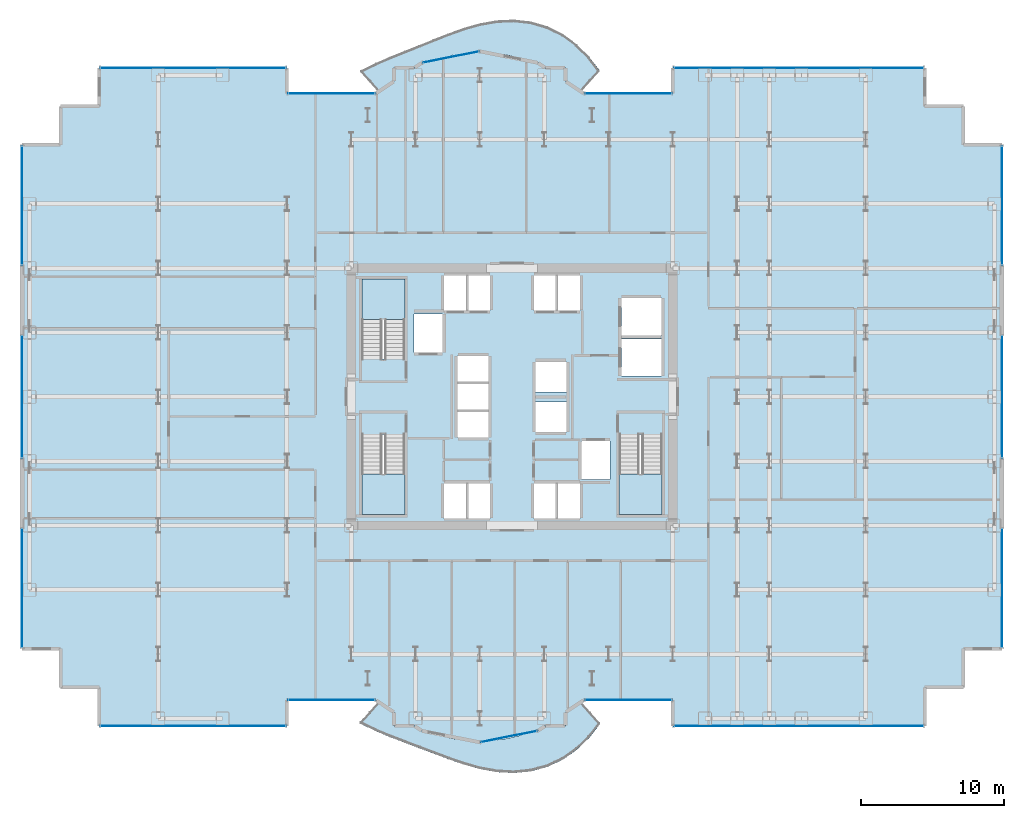
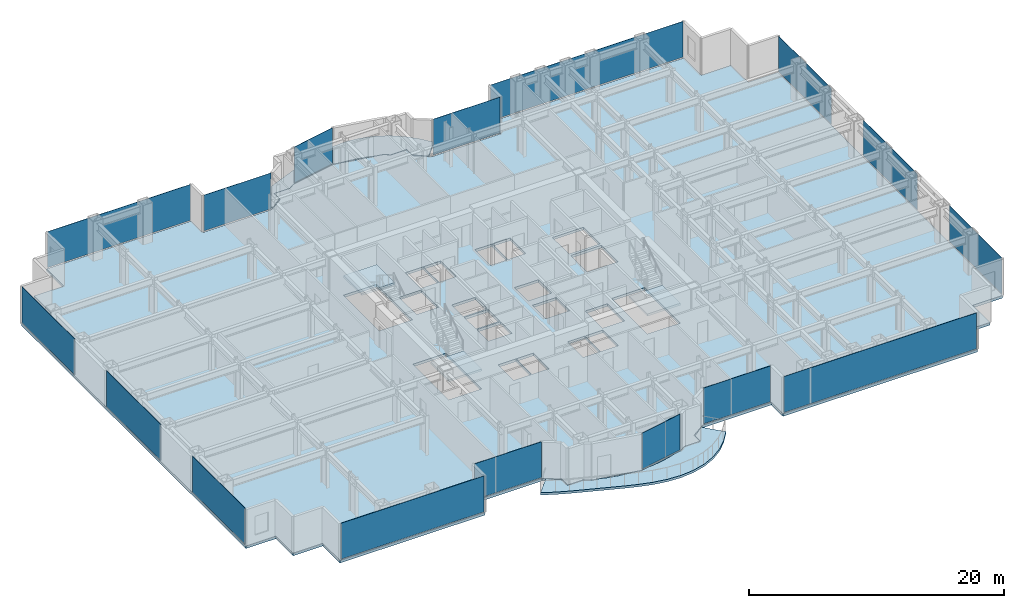
# One storey, part 20 of 29: 16 plates, 6 slabs, 19 elements without a shape of their own.
"""IFC4 building model written with IfcOpenShell, lengths in metres."""

from ifc_helpers import new_model, si_unit, direction, frame, origin, origin_2d, place, context, subcontext, project, spatial, polyline, rectangle, outline, extrude, source, transform, mapped, material, layer, layer_set, type_object, element, aggregate, save


model = new_model("IFC4")

# Units and contexts
model_context = context("Model", 3, precision=1e-05, world=origin(), true_north=direction((0.0, 1.0)))
body_context = subcontext(model_context, "Body", "Model", "MODEL_VIEW")
ifc_project = project(units=[si_unit("LENGTHUNIT", "METRE"), si_unit("AREAUNIT", "SQUARE_METRE"), si_unit("VOLUMEUNIT", "CUBIC_METRE"), si_unit("PLANEANGLEUNIT", "RADIAN"), si_unit("MASSUNIT", "GRAM", prefix="KILO")], contexts=[model_context])

# Site, building, storey
site_placement = place(None, origin())
site = spatial("IfcSite", under=ifc_project, at=site_placement, CompositionType="ELEMENT")
building_placement = place(site_placement, origin())
building = spatial("IfcBuilding", under=site, at=building_placement, Name="Nefas-Gora Pilgrimage Tower", CompositionType="ELEMENT")
storey_placement = place(building_placement, frame((0.0, 0.0, 44.39990234375)))
storey = spatial("IfcBuildingStorey", under=building, at=storey_placement, Name="L09", CompositionType="ELEMENT", Elevation=44.39990234375)

# Slabs
ifc_material_1 = material(Name="Concrete C40/50", Category="concrete")
ifc_layer_1 = layer(ifc_material_1, 0.219970703125)
ifc_layer_set_1 = layer_set([ifc_layer_1], Name="Concrete C40/50")
slab_type_1 = type_object("IfcSlabType", Name="SLB-BAL-P0", PredefinedType="FLOOR", material=ifc_layer_set_1)
slab_1_placement = place(storey_placement, frame((0.0, 0.0, -0.219970703125)))
element("IfcSlab", 1, at=slab_1_placement, inside=storey, type_object=slab_type_1, Name="L09 Sinusoidal Lobe Balcony Slab N (Phase 0)", PredefinedType="FLOOR", context=body_context, shape_type="SweptSolid", body=[
    extrude(outline(polyline([(-9.28759765625, 21.385986328125), (-9.224609375, 21.427978515625), (-8.538330078125, 21.9912109375), (-8.260009765625, 22.179931640625), (-8.260009765625, 23.02001953125), (-8.260009765625, 23.02099609375), (-8.259765625, 23.02197265625), (-8.259521484375, 23.02294921875), (-8.25927734375, 23.023681640625), (-8.2587890625, 23.024658203125), (-8.25830078125, 23.025634765625), (-8.2578125, 23.0263671875), (-8.257080078125, 23.027099609375), (-8.25634765625, 23.027587890625), (-8.255615234375, 23.0283203125), (-8.254638671875, 23.02880859375), (-8.25390625, 23.029296875), (-8.2529296875, 23.029541015625), (-8.251953125, 23.02978515625), (-8.2509765625, 23.030029296875), (-8.25, 23.030029296875), (-6.8271484375, 23.030029296875), (-6.31298828125, 23.37353515625), (-6.31201171875, 23.3740234375), (-6.311279296875, 23.37451171875), (-6.310302734375, 23.375), (-6.309326171875, 23.375), (-5.63037109375, 23.51025390625), (-5.102783203125, 23.685302734375), (-4.165283203125, 23.904052734375), (-3.211669921875, 24.035888671875), (-2.919921875, 24.04931640625), (-2.251953125, 24.18212890625), (-2.2509765625, 24.182373046875), (-2.25, 24.182373046875), (-2.2490234375, 24.182373046875), (-2.248046875, 24.18212890625), (-1.580078125, 24.04931640625), (-1.288330078125, 24.035888671875), (-0.334716796875, 23.904052734375), (0.602783203125, 23.685302734375), (1.13037109375, 23.51025390625), (1.809326171875, 23.375), (1.810302734375, 23.375), (1.811279296875, 23.37451171875), (1.81201171875, 23.3740234375), (1.81298828125, 23.37353515625), (2.3271484375, 23.030029296875), (3.75, 23.030029296875), (3.7509765625, 23.030029296875), (3.751953125, 23.02978515625), (3.7529296875, 23.029541015625), (3.75390625, 23.029296875), (3.754638671875, 23.02880859375), (3.755615234375, 23.0283203125), (3.75634765625, 23.027587890625), (3.757080078125, 23.027099609375), (3.7578125, 23.0263671875), (3.75830078125, 23.025634765625), (3.7587890625, 23.024658203125), (3.75927734375, 23.023681640625), (3.759521484375, 23.02294921875), (3.759765625, 23.02197265625), (3.760009765625, 23.02099609375), (3.760009765625, 23.02001953125), (3.760009765625, 22.179931640625), (4.038330078125, 21.9912109375), (4.724609375, 21.427978515625), (4.78759765625, 21.385986328125), (6.114013671875, 22.859375), (5.38720703125, 23.797607421875), (4.537109375, 24.6455078125), (3.562744140625, 25.357177734375), (2.48046875, 25.89306640625), (1.3203125, 26.2294921875), (0.120849609375, 26.3623046875), (-1.07958984375, 26.3076171875), (-2.25, 26.09912109375), (-3.3720703125, 25.78125), (-4.4423828125, 25.39990234375), (-5.471923828125, 24.993896484375), (-6.479248046875, 24.58740234375), (-7.485107421875, 24.18603515625), (-8.50439453125, 23.7763671875), (-9.539306640625, 23.331298828125), (-10.5751953125, 22.816162109375), (-9.28759765625, 21.385986328125)])), origin(), (0.0, 0.0, 1.0), 0.219970703125),
])
ifc_layer_2 = layer(ifc_material_1, 0.22509765625)
ifc_layer_set_2 = layer_set([ifc_layer_2], Name="Concrete C40/50")
slab_type_2 = type_object("IfcSlabType", Name="SLB-BAL-P4", PredefinedType="FLOOR", material=ifc_layer_set_2)
slab_2_placement = place(storey_placement, frame((0.0, 0.0, -0.224853515625)))
element("IfcSlab", 2, at=slab_2_placement, inside=storey, type_object=slab_type_2, Name="L09 Sinusoidal Lobe Balcony Slab S (Phase 4)", PredefinedType="FLOOR", context=body_context, shape_type="SweptSolid", body=[
    extrude(outline(polyline([(4.78759765625, -21.385986328125), (4.724609375, -21.427978515625), (4.038330078125, -21.9912109375), (3.760009765625, -22.179931640625), (3.760009765625, -23.02001953125), (3.760009765625, -23.02099609375), (3.759765625, -23.02197265625), (3.759521484375, -23.02294921875), (3.75927734375, -23.023681640625), (3.7587890625, -23.024658203125), (3.75830078125, -23.025634765625), (3.7578125, -23.0263671875), (3.757080078125, -23.027099609375), (3.75634765625, -23.027587890625), (3.755615234375, -23.0283203125), (3.754638671875, -23.02880859375), (3.75390625, -23.029296875), (3.7529296875, -23.029541015625), (3.751953125, -23.02978515625), (3.7509765625, -23.030029296875), (3.75, -23.030029296875), (2.3271484375, -23.030029296875), (1.81298828125, -23.37353515625), (1.81201171875, -23.3740234375), (1.811279296875, -23.37451171875), (1.810302734375, -23.375), (1.809326171875, -23.375), (1.13037109375, -23.51025390625), (0.602783203125, -23.685302734375), (-0.334716796875, -23.904052734375), (-1.288330078125, -24.035888671875), (-1.580078125, -24.04931640625), (-2.248046875, -24.18212890625), (-2.2490234375, -24.182373046875), (-2.25, -24.182373046875), (-2.2509765625, -24.182373046875), (-2.251953125, -24.18212890625), (-2.919921875, -24.04931640625), (-3.211669921875, -24.035888671875), (-4.165283203125, -23.904052734375), (-5.102783203125, -23.685302734375), (-5.63037109375, -23.51025390625), (-6.309326171875, -23.375), (-6.310302734375, -23.375), (-6.311279296875, -23.37451171875), (-6.31201171875, -23.3740234375), (-6.31298828125, -23.37353515625), (-6.8271484375, -23.030029296875), (-8.25, -23.030029296875), (-8.2509765625, -23.030029296875), (-8.251953125, -23.02978515625), (-8.2529296875, -23.029541015625), (-8.25390625, -23.029296875), (-8.254638671875, -23.02880859375), (-8.255615234375, -23.0283203125), (-8.25634765625, -23.027587890625), (-8.257080078125, -23.027099609375), (-8.2578125, -23.0263671875), (-8.25830078125, -23.025634765625), (-8.2587890625, -23.024658203125), (-8.25927734375, -23.023681640625), (-8.259521484375, -23.02294921875), (-8.259765625, -23.02197265625), (-8.260009765625, -23.02099609375), (-8.260009765625, -23.02001953125), (-8.260009765625, -22.179931640625), (-8.538330078125, -21.9912109375), (-9.224609375, -21.427978515625), (-9.28759765625, -21.385986328125), (-10.614013671875, -22.859375), (-9.57080078125, -23.373779296875), (-8.525390625, -23.810302734375), (-7.494384765625, -24.20458984375), (-6.478759765625, -24.58642578125), (-5.465576171875, -24.9716796875), (-4.43505859375, -25.359130859375), (-3.3671875, -25.7275390625), (-2.25, -26.041015625), (-1.08447265625, -26.25390625), (0.11328125, -26.321533203125), (1.314208984375, -26.20751953125), (2.47998046875, -25.89208984375), (3.572021484375, -25.375732421875), (4.55810546875, -24.6796875), (5.4189453125, -23.840087890625), (6.153076171875, -22.902587890625), (4.78759765625, -21.385986328125)])), origin(), (0.0, 0.0, 1.0), 0.224853515625),
])
ifc_layer_3 = layer(ifc_material_1, 0.25)
ifc_layer_set_3 = layer_set([ifc_layer_3], Name="Concrete C40/50")
slab_type_3 = type_object("IfcSlabType", Name="SLB-TWR-250", PredefinedType="FLOOR", material=ifc_layer_set_3)
slab_3_placement = place(storey_placement, frame((0.0, 0.0, -0.25)))
element("IfcSlab", 3, at=slab_3_placement, inside=storey, type_object=slab_type_3, Name="L09 Structural Floor Slab", PredefinedType="FLOOR", context=body_context, shape_type="SweptSolid", body=[
    extrude(outline(polyline([(5.01806640625, -21.219970703125), (11.25, -21.219970703125), (11.25, -23.02001953125), (28.8701171875, -23.02001953125), (28.8701171875, -20.320068359375), (31.570068359375, -20.320068359375), (31.570068359375, -17.6201171875), (34.27001953125, -17.6201171875), (34.27001953125, 17.6201171875), (31.570068359375, 17.6201171875), (31.570068359375, 20.320068359375), (28.8701171875, 20.320068359375), (28.8701171875, 23.02001953125), (11.25, 23.02001953125), (11.25, 21.219970703125), (5.01806640625, 21.219970703125), (3.75, 22.0673828125), (3.75, 23.02001953125), (2.32421875, 23.02001953125), (1.807373046875, 23.365234375), (-2.25, 24.17236328125), (-6.307373046875, 23.365234375), (-6.82421875, 23.02001953125), (-8.25, 23.02001953125), (-8.25, 22.0673828125), (-9.51806640625, 21.219970703125), (-15.75, 21.219970703125), (-15.75, 23.02001953125), (-28.8701171875, 23.02001953125), (-28.8701171875, 20.320068359375), (-31.570068359375, 20.320068359375), (-31.570068359375, 17.6201171875), (-34.27001953125, 17.6201171875), (-34.27001953125, -17.6201171875), (-31.570068359375, -17.6201171875), (-31.570068359375, -20.320068359375), (-28.8701171875, -20.320068359375), (-28.8701171875, -23.02001953125), (-15.75, -23.02001953125), (-15.75, -21.219970703125), (-9.51806640625, -21.219970703125), (-8.25, -22.0673828125), (-8.25, -23.02001953125), (-6.82421875, -23.02001953125), (-6.307373046875, -23.365234375), (-2.25, -24.17236328125), (1.807373046875, -23.365234375), (2.32421875, -23.02001953125), (3.75, -23.02001953125), (3.75, -22.0673828125), (5.01806640625, -21.219970703125)]), holes=[polyline([(-10.5, 2.639892578125), (-10.5, 8.25), (-7.5, 8.25), (-7.5, 2.639892578125), (-10.5, 2.639892578125)]), polyline([(10.5, -2.639892578125), (10.5, -8.25), (7.5, -8.25), (7.5, -2.639892578125), (10.5, -2.639892578125)]), polyline([(-7.5, -2.639892578125), (-7.5, -8.25), (-10.5, -8.25), (-10.5, -2.639892578125), (-7.5, -2.639892578125)]), polyline([(-6.85009765625, 5.800048828125), (-4.85009765625, 5.800048828125), (-4.85009765625, 3.10009765625), (-6.85009765625, 3.10009765625), (-6.85009765625, 5.800048828125)]), polyline([(4.85009765625, -3.10009765625), (6.85009765625, -3.10009765625), (6.85009765625, -5.800048828125), (4.85009765625, -5.800048828125), (4.85009765625, -3.10009765625)]), polyline([(7.64990234375, 4.050048828125), (10.449951171875, 4.050048828125), (10.449951171875, 1.449951171875), (7.64990234375, 1.449951171875), (7.64990234375, 4.050048828125)]), polyline([(7.64990234375, 6.89990234375), (10.449951171875, 6.89990234375), (10.449951171875, 4.300048828125), (7.64990234375, 4.300048828125), (7.64990234375, 6.89990234375)]), polyline([(-4.75, 8.5), (-3.14990234375, 8.5), (-3.14990234375, 6.050048828125), (-4.75, 6.050048828125), (-4.75, 8.5)]), polyline([(-3.10009765625, 8.5), (-1.550048828125, 8.5), (-1.550048828125, 6.050048828125), (-3.10009765625, 6.050048828125), (-3.10009765625, 8.5)]), polyline([(1.550048828125, 8.5), (3.10009765625, 8.5), (3.10009765625, 6.050048828125), (1.550048828125, 6.050048828125), (1.550048828125, 8.5)]), polyline([(3.14990234375, 8.5), (4.75, 8.5), (4.75, 6.050048828125), (3.14990234375, 6.050048828125), (3.14990234375, 8.5)]), polyline([(-4.75, -6.050048828125), (-3.14990234375, -6.050048828125), (-3.14990234375, -8.5), (-4.75, -8.5), (-4.75, -6.050048828125)]), polyline([(-3.10009765625, -6.050048828125), (-1.550048828125, -6.050048828125), (-1.550048828125, -8.5), (-3.10009765625, -8.5), (-3.10009765625, -6.050048828125)]), polyline([(1.550048828125, -6.050048828125), (3.10009765625, -6.050048828125), (3.10009765625, -8.5), (1.550048828125, -8.5), (1.550048828125, -6.050048828125)]), polyline([(3.14990234375, -6.050048828125), (4.75, -6.050048828125), (4.75, -8.5), (3.14990234375, -8.5), (3.14990234375, -6.050048828125)]), polyline([(-3.800048828125, -1.050048828125), (-1.64990234375, -1.050048828125), (-1.64990234375, -2.85009765625), (-3.800048828125, -2.85009765625), (-3.800048828125, -1.050048828125)]), polyline([(-3.800048828125, 0.89990234375), (-1.64990234375, 0.89990234375), (-1.64990234375, -0.89990234375), (-3.800048828125, -0.89990234375), (-3.800048828125, 0.89990234375)]), polyline([(-3.800048828125, 2.85009765625), (-1.64990234375, 2.85009765625), (-1.64990234375, 1.050048828125), (-3.800048828125, 1.050048828125), (-3.800048828125, 2.85009765625)]), polyline([(1.64990234375, -0.35009765625), (3.800048828125, -0.35009765625), (3.800048828125, -2.449951171875), (1.64990234375, -2.449951171875), (1.64990234375, -0.35009765625)]), polyline([(1.64990234375, 2.449951171875), (3.800048828125, 2.449951171875), (3.800048828125, 0.35009765625), (1.64990234375, 0.35009765625), (1.64990234375, 2.449951171875)])]), origin(), (0.0, 0.0, 1.0), 0.25),
])

# Stair, slab
ifc_material_2 = material(Name="Concrete C45/55", Category="concrete")
stair_type = type_object("IfcStairType", Name="STR-1400-R1727", PredefinedType="HALF_TURN_STAIR", material=ifc_material_2)
stair_1_placement = place(storey_placement, origin())
stair_1 = element("IfcStair", 4, at=stair_1_placement, inside=storey, type_object=stair_type, Name="L09 Pressurised Tower Exit Stair ST-01", PredefinedType="HALF_TURN_STAIR")
ifc_layer_4 = layer(ifc_material_1, 0.199951171875)
ifc_layer_set_4 = layer_set([ifc_layer_4], Name="Concrete C40/50")
slab_type_4 = type_object("IfcSlabType", Name="STR-LAND-200", PredefinedType="LANDING", material=ifc_layer_set_4)
slab_4_placement = place(storey_placement, frame((0.0, 0.0, 1.7001953125)))
slab_4 = element("IfcSlab", 5, at=slab_4_placement, type_object=slab_type_4, Name="ST-01 landing 1", PredefinedType="LANDING", context=body_context, shape_type="SweptSolid", body=[
    extrude(outline(polyline([(-7.5, 5.39990234375), (-7.5, 8.25), (-10.5, 8.25), (-10.5, 5.39990234375), (-7.5, 5.39990234375)])), origin(), (0.0, 0.0, 1.0), 0.199951171875),
])
aggregate(stair_1, [slab_4])

stair_2_placement = place(storey_placement, origin())
stair_2 = element("IfcStair", 6, at=stair_2_placement, inside=storey, type_object=stair_type, Name="L09 Pressurised Tower Exit Stair ST-02", PredefinedType="HALF_TURN_STAIR")
slab_5_placement = place(storey_placement, frame((0.0, 0.0, 1.7001953125)))
slab_5 = element("IfcSlab", 7, at=slab_5_placement, type_object=slab_type_4, Name="ST-02 landing 1", PredefinedType="LANDING", context=body_context, shape_type="SweptSolid", body=[
    extrude(outline(polyline([(7.5, -5.39990234375), (7.5, -8.25), (10.5, -8.25), (10.5, -5.39990234375), (7.5, -5.39990234375)])), origin(), (0.0, 0.0, 1.0), 0.199951171875),
])
aggregate(stair_2, [slab_5])

stair_3_placement = place(storey_placement, origin())
stair_3 = element("IfcStair", 8, at=stair_3_placement, inside=storey, type_object=stair_type, Name="L09 Pressurised Tower Exit Stair ST-03", PredefinedType="HALF_TURN_STAIR")
slab_6_placement = place(storey_placement, frame((0.0, 0.0, 1.7001953125)))
slab_6 = element("IfcSlab", 9, at=slab_6_placement, type_object=slab_type_4, Name="ST-03 landing 1", PredefinedType="LANDING", context=body_context, shape_type="SweptSolid", body=[
    extrude(outline(polyline([(-10.5, -5.39990234375), (-10.5, -8.25), (-7.5, -8.25), (-7.5, -5.39990234375), (-10.5, -5.39990234375)])), origin(), (0.0, 0.0, 1.0), 0.199951171875),
])
aggregate(stair_3, [slab_6])

# Curtain wall, plate
ifc_material_3 = material(Name="Dark ceramic-fritted solar-control aluminium-glass curtain wall", Category="aluminium")
ifc_layer_5 = layer(ifc_material_3, 0.219970703125)
ifc_layer_set_5 = layer_set([ifc_layer_5], Name="Dark ceramic-fritted solar-control aluminium-glass curtain wall")
curtain_wall_type_1 = type_object("IfcCurtainWallType", Name="CW-SYS-5", PredefinedType="NOTDEFINED", material=ifc_layer_set_5)
curtain_wall_1_placement = place(storey_placement, origin())
curtain_wall_1 = element("IfcCurtainWall", 10, at=curtain_wall_1_placement, inside=storey, type_object=curtain_wall_type_1, Name="L09 Unitised Curtain Wall CW5", PredefinedType="NOTDEFINED")
ifc_material_4 = material(Name="Dark ceramic-printed low-e insulated glass", Category="glass")
ifc_layer_6 = layer(ifc_material_4, 0.028076171875)
ifc_layer_set_6 = layer_set([ifc_layer_6], Name="Dark ceramic-printed low-e insulated glass")
plate_type_1 = type_object("IfcPlateType", Name="CWP-PNL-5", PredefinedType="CURTAIN_PANEL", material=ifc_layer_set_6)
shared_shape_1 = source(origin(), body_context, "Body", "SweptSolid", [
    extrude(rectangle(XDim=6.052001953125, YDim=0.028076171875, at=origin_2d()), origin(), (0.0, 0.0, 1.0), 3.43994140625),
])
plate_1_placement = place(storey_placement, frame((8.134033203125, -21.219970703125, 0.10009765625), z_axis=(0.0, 0.0, 1.0), x_axis=(1.0, 0.0, 0.0)))
plate_1 = element("IfcPlate", 11, at=plate_1_placement, type_object=plate_type_1, Name="CW5 Ceramic-Fritted Glazing Panel 1", PredefinedType="CURTAIN_PANEL", context=body_context, shape_type="MappedRepresentation", body=[
    mapped(shared_shape_1, transform((0.0, 0.0, 0.0), x_axis=(1.0, 0.0, 0.0), y_axis=(0.0, 1.0, 0.0), z_axis=(0.0, 0.0, 1.0), scale=1.0)),
])
aggregate(curtain_wall_1, [plate_1])

curtain_wall_2_placement = place(storey_placement, origin())
curtain_wall_2 = element("IfcCurtainWall", 12, at=curtain_wall_2_placement, inside=storey, type_object=curtain_wall_type_1, Name="L09 Unitised Curtain Wall CW5", PredefinedType="NOTDEFINED")
plate_2_placement = place(storey_placement, frame((8.134033203125, 21.219970703125, 0.10009765625), z_axis=(0.0, 0.0, 1.0), x_axis=(-1.0, 0.0, 0.0)))
plate_2 = element("IfcPlate", 13, at=plate_2_placement, type_object=plate_type_1, Name="CW5 Ceramic-Fritted Glazing Panel 1", PredefinedType="CURTAIN_PANEL", context=body_context, shape_type="MappedRepresentation", body=[
    mapped(shared_shape_1, transform((0.0, 0.0, 0.0), x_axis=(1.0, 0.0, 0.0), y_axis=(0.0, 1.0, 0.0), z_axis=(0.0, 0.0, 1.0), scale=1.0)),
])
aggregate(curtain_wall_2, [plate_2])

curtain_wall_3_placement = place(storey_placement, origin())
curtain_wall_3 = element("IfcCurtainWall", 14, at=curtain_wall_3_placement, inside=storey, type_object=curtain_wall_type_1, Name="L09 Unitised Curtain Wall CW5", PredefinedType="NOTDEFINED")
plate_3_placement = place(storey_placement, frame((-12.634033203125, 21.219970703125, 0.10009765625), z_axis=(0.0, 0.0, 1.0), x_axis=(-1.0, 0.0, 0.0)))
plate_3 = element("IfcPlate", 15, at=plate_3_placement, type_object=plate_type_1, Name="CW5 Ceramic-Fritted Glazing Panel 1", PredefinedType="CURTAIN_PANEL", context=body_context, shape_type="MappedRepresentation", body=[
    mapped(shared_shape_1, transform((0.0, 0.0, 0.0), x_axis=(1.0, 0.0, 0.0), y_axis=(0.0, 1.0, 0.0), z_axis=(0.0, 0.0, 1.0), scale=1.0)),
])
aggregate(curtain_wall_3, [plate_3])

curtain_wall_4_placement = place(storey_placement, origin())
curtain_wall_4 = element("IfcCurtainWall", 16, at=curtain_wall_4_placement, inside=storey, type_object=curtain_wall_type_1, Name="L09 Unitised Curtain Wall CW5", PredefinedType="NOTDEFINED")
plate_4_placement = place(storey_placement, frame((-12.634033203125, -21.219970703125, 0.10009765625), z_axis=(0.0, 0.0, 1.0), x_axis=(1.0, 0.0, 0.0)))
plate_4 = element("IfcPlate", 17, at=plate_4_placement, type_object=plate_type_1, Name="CW5 Ceramic-Fritted Glazing Panel 1", PredefinedType="CURTAIN_PANEL", context=body_context, shape_type="MappedRepresentation", body=[
    mapped(shared_shape_1, transform((0.0, 0.0, 0.0), x_axis=(1.0, 0.0, 0.0), y_axis=(0.0, 1.0, 0.0), z_axis=(0.0, 0.0, 1.0), scale=1.0)),
])
aggregate(curtain_wall_4, [plate_4])

ifc_layer_7 = layer(ifc_material_3, 0.219970703125)
ifc_layer_set_7 = layer_set([ifc_layer_7], Name="Dark ceramic-fritted solar-control aluminium-glass curtain wall")
curtain_wall_type_2 = type_object("IfcCurtainWallType", Name="CW-SYS-2", PredefinedType="NOTDEFINED", material=ifc_layer_set_7)
curtain_wall_5_placement = place(storey_placement, origin())
curtain_wall_5 = element("IfcCurtainWall", 18, at=curtain_wall_5_placement, inside=storey, type_object=curtain_wall_type_2, Name="L09 Unitised Curtain Wall CW2", PredefinedType="NOTDEFINED")
ifc_layer_8 = layer(ifc_material_4, 0.031982421875)
ifc_layer_set_8 = layer_set([ifc_layer_8], Name="Dark ceramic-printed low-e insulated glass")
plate_type_2 = type_object("IfcPlateType", Name="CWP-PNL-2", PredefinedType="CURTAIN_PANEL", material=ifc_layer_set_8)
shared_shape_2 = source(origin(), body_context, "Body", "SweptSolid", [
    extrude(rectangle(XDim=17.43994140625, YDim=0.031982421875, at=origin_2d()), origin(), (0.0, 0.0, 1.0), 3.43994140625),
])
plate_5_placement = place(storey_placement, frame((20.06005859375, -23.02001953125, 0.10009765625), z_axis=(0.0, 0.0, 1.0), x_axis=(1.0, 0.0, 0.0)))
plate_5 = element("IfcPlate", 19, at=plate_5_placement, type_object=plate_type_2, Name="CW2 Ceramic-Fritted Glazing Panel 1", PredefinedType="CURTAIN_PANEL", context=body_context, shape_type="MappedRepresentation", body=[
    mapped(shared_shape_2, transform((0.0, 0.0, 0.0), x_axis=(1.0, 0.0, 0.0), y_axis=(0.0, 1.0, 0.0), z_axis=(0.0, 0.0, 1.0), scale=1.0)),
])
aggregate(curtain_wall_5, [plate_5])

curtain_wall_6_placement = place(storey_placement, origin())
curtain_wall_6 = element("IfcCurtainWall", 20, at=curtain_wall_6_placement, inside=storey, type_object=curtain_wall_type_2, Name="L09 Unitised Curtain Wall CW2", PredefinedType="NOTDEFINED")
plate_6_placement = place(storey_placement, frame((20.06005859375, 23.02001953125, 0.10009765625), z_axis=(0.0, 0.0, 1.0), x_axis=(-1.0, 0.0, 0.0)))
plate_6 = element("IfcPlate", 21, at=plate_6_placement, type_object=plate_type_2, Name="CW2 Ceramic-Fritted Glazing Panel 1", PredefinedType="CURTAIN_PANEL", context=body_context, shape_type="MappedRepresentation", body=[
    mapped(shared_shape_2, transform((0.0, 0.0, 0.0), x_axis=(1.0, 0.0, 0.0), y_axis=(0.0, 1.0, 0.0), z_axis=(0.0, 0.0, 1.0), scale=1.0)),
])
aggregate(curtain_wall_6, [plate_6])

curtain_wall_7_placement = place(storey_placement, origin())
curtain_wall_7 = element("IfcCurtainWall", 22, at=curtain_wall_7_placement, inside=storey, type_object=curtain_wall_type_2, Name="L09 Unitised Curtain Wall CW2", PredefinedType="NOTDEFINED")
shared_shape_3 = source(origin(), body_context, "Body", "SweptSolid", [
    extrude(rectangle(XDim=8.2900390625, YDim=0.031982421875, at=origin_2d()), origin(), (0.0, 0.0, 1.0), 3.43994140625),
])
plate_7_placement = place(storey_placement, frame((34.27001953125, -13.385009765625, 0.10009765625), z_axis=(0.0, 0.0, 1.0), x_axis=(0.0, 1.0, 0.0)))
plate_7 = element("IfcPlate", 23, at=plate_7_placement, type_object=plate_type_2, Name="CW2 Ceramic-Fritted Glazing Panel 1", PredefinedType="CURTAIN_PANEL", context=body_context, shape_type="MappedRepresentation", body=[
    mapped(shared_shape_3, transform((0.0, 0.0, 0.0), x_axis=(1.0, 0.0, 0.0), y_axis=(0.0, 1.0, 0.0), z_axis=(0.0, 0.0, 1.0), scale=1.0)),
])
aggregate(curtain_wall_7, [plate_7])

curtain_wall_8_placement = place(storey_placement, origin())
curtain_wall_8 = element("IfcCurtainWall", 24, at=curtain_wall_8_placement, inside=storey, type_object=curtain_wall_type_2, Name="L09 Unitised Curtain Wall CW2", PredefinedType="NOTDEFINED")
plate_8_placement = place(storey_placement, frame((34.27001953125, 13.385009765625, 0.10009765625), z_axis=(0.0, 0.0, 1.0), x_axis=(0.0, 1.0, 0.0)))
plate_8 = element("IfcPlate", 25, at=plate_8_placement, type_object=plate_type_2, Name="CW2 Ceramic-Fritted Glazing Panel 1", PredefinedType="CURTAIN_PANEL", context=body_context, shape_type="MappedRepresentation", body=[
    mapped(shared_shape_3, transform((0.0, 0.0, 0.0), x_axis=(1.0, 0.0, 0.0), y_axis=(0.0, 1.0, 0.0), z_axis=(0.0, 0.0, 1.0), scale=1.0)),
])
aggregate(curtain_wall_8, [plate_8])

curtain_wall_9_placement = place(storey_placement, origin())
curtain_wall_9 = element("IfcCurtainWall", 26, at=curtain_wall_9_placement, inside=storey, type_object=curtain_wall_type_2, Name="L09 Unitised Curtain Wall CW2", PredefinedType="NOTDEFINED")
plate_9_placement = place(storey_placement, frame((-34.27001953125, 13.385009765625, 0.10009765625), z_axis=(0.0, 0.0, 1.0), x_axis=(0.0, -1.0, 0.0)))
plate_9 = element("IfcPlate", 27, at=plate_9_placement, type_object=plate_type_2, Name="CW2 Ceramic-Fritted Glazing Panel 1", PredefinedType="CURTAIN_PANEL", context=body_context, shape_type="MappedRepresentation", body=[
    mapped(shared_shape_3, transform((0.0, 0.0, 0.0), x_axis=(1.0, 0.0, 0.0), y_axis=(0.0, 1.0, 0.0), z_axis=(0.0, 0.0, 1.0), scale=1.0)),
])
aggregate(curtain_wall_9, [plate_9])

curtain_wall_10_placement = place(storey_placement, origin())
curtain_wall_10 = element("IfcCurtainWall", 28, at=curtain_wall_10_placement, inside=storey, type_object=curtain_wall_type_2, Name="L09 Unitised Curtain Wall CW2", PredefinedType="NOTDEFINED")
plate_10_placement = place(storey_placement, frame((-34.27001953125, -13.385009765625, 0.10009765625), z_axis=(0.0, 0.0, 1.0), x_axis=(0.0, -1.0, 0.0)))
plate_10 = element("IfcPlate", 29, at=plate_10_placement, type_object=plate_type_2, Name="CW2 Ceramic-Fritted Glazing Panel 1", PredefinedType="CURTAIN_PANEL", context=body_context, shape_type="MappedRepresentation", body=[
    mapped(shared_shape_3, transform((0.0, 0.0, 0.0), x_axis=(1.0, 0.0, 0.0), y_axis=(0.0, 1.0, 0.0), z_axis=(0.0, 0.0, 1.0), scale=1.0)),
])
aggregate(curtain_wall_10, [plate_10])

curtain_wall_11_placement = place(storey_placement, origin())
curtain_wall_11 = element("IfcCurtainWall", 30, at=curtain_wall_11_placement, inside=storey, type_object=curtain_wall_type_2, Name="L09 Unitised Curtain Wall CW2", PredefinedType="NOTDEFINED")
shared_shape_4 = source(origin(), body_context, "Body", "SweptSolid", [
    extrude(rectangle(XDim=8.52001953125, YDim=0.031982421875, at=origin_2d()), origin(), (0.0, 0.0, 1.0), 3.43994140625),
])
plate_11_placement = place(storey_placement, frame((34.27001953125, 0.0, 0.10009765625), z_axis=(0.0, 0.0, 1.0), x_axis=(0.0, 1.0, 0.0)))
plate_11 = element("IfcPlate", 31, at=plate_11_placement, type_object=plate_type_2, Name="CW2 Ceramic-Fritted Glazing Panel 1", PredefinedType="CURTAIN_PANEL", context=body_context, shape_type="MappedRepresentation", body=[
    mapped(shared_shape_4, transform((0.0, 0.0, 0.0), x_axis=(1.0, 0.0, 0.0), y_axis=(0.0, 1.0, 0.0), z_axis=(0.0, 0.0, 1.0), scale=1.0)),
])
aggregate(curtain_wall_11, [plate_11])

curtain_wall_12_placement = place(storey_placement, origin())
curtain_wall_12 = element("IfcCurtainWall", 32, at=curtain_wall_12_placement, inside=storey, type_object=curtain_wall_type_2, Name="L09 Unitised Curtain Wall CW2", PredefinedType="NOTDEFINED")
plate_12_placement = place(storey_placement, frame((-34.27001953125, 0.0, 0.10009765625), z_axis=(0.0, 0.0, 1.0), x_axis=(0.0, -1.0, 0.0)))
plate_12 = element("IfcPlate", 33, at=plate_12_placement, type_object=plate_type_2, Name="CW2 Ceramic-Fritted Glazing Panel 1", PredefinedType="CURTAIN_PANEL", context=body_context, shape_type="MappedRepresentation", body=[
    mapped(shared_shape_4, transform((0.0, 0.0, 0.0), x_axis=(1.0, 0.0, 0.0), y_axis=(0.0, 1.0, 0.0), z_axis=(0.0, 0.0, 1.0), scale=1.0)),
])
aggregate(curtain_wall_12, [plate_12])

curtain_wall_13_placement = place(storey_placement, origin())
curtain_wall_13 = element("IfcCurtainWall", 34, at=curtain_wall_13_placement, inside=storey, type_object=curtain_wall_type_1, Name="L09 Unitised Curtain Wall CW5", PredefinedType="NOTDEFINED")
shared_shape_5 = source(origin(), body_context, "Body", "SweptSolid", [
    extrude(rectangle(XDim=3.956787109375, YDim=0.028076171875, at=origin_2d()), origin(), (0.0, 0.0, 1.0), 3.43994140625),
])
plate_13_placement = place(storey_placement, frame((-4.278564453125, 23.768798828125, 0.10009765625), z_axis=(0.0, 0.0, 1.0), x_axis=(-0.980782896852, -0.195102304554, 0.0)))
plate_13 = element("IfcPlate", 35, at=plate_13_placement, type_object=plate_type_1, Name="CW5 Ceramic-Fritted Glazing Panel 1", PredefinedType="CURTAIN_PANEL", context=body_context, shape_type="MappedRepresentation", body=[
    mapped(shared_shape_5, transform((0.0, 0.0, 0.0), x_axis=(1.0, 0.0, 0.0), y_axis=(0.0, 1.0, 0.0), z_axis=(0.0, 0.0, 1.0), scale=1.0)),
])
aggregate(curtain_wall_13, [plate_13])

curtain_wall_14_placement = place(storey_placement, origin())
curtain_wall_14 = element("IfcCurtainWall", 36, at=curtain_wall_14_placement, inside=storey, type_object=curtain_wall_type_1, Name="L09 Unitised Curtain Wall CW5", PredefinedType="NOTDEFINED")
plate_14_placement = place(storey_placement, frame((-0.221435546875, -23.768798828125, 0.10009765625), z_axis=(0.0, 0.0, 1.0), x_axis=(0.980782896852, 0.195102304554, 0.0)))
plate_14 = element("IfcPlate", 37, at=plate_14_placement, type_object=plate_type_1, Name="CW5 Ceramic-Fritted Glazing Panel 1", PredefinedType="CURTAIN_PANEL", context=body_context, shape_type="MappedRepresentation", body=[
    mapped(shared_shape_5, transform((0.0, 0.0, 0.0), x_axis=(1.0, 0.0, 0.0), y_axis=(0.0, 1.0, 0.0), z_axis=(0.0, 0.0, 1.0), scale=1.0)),
])
aggregate(curtain_wall_14, [plate_14])

curtain_wall_15_placement = place(storey_placement, origin())
curtain_wall_15 = element("IfcCurtainWall", 38, at=curtain_wall_15_placement, inside=storey, type_object=curtain_wall_type_2, Name="L09 Unitised Curtain Wall CW2", PredefinedType="NOTDEFINED")
shared_shape_6 = source(origin(), body_context, "Body", "SweptSolid", [
    extrude(rectangle(XDim=12.93994140625, YDim=0.031982421875, at=origin_2d()), origin(), (0.0, 0.0, 1.0), 3.43994140625),
])
plate_15_placement = place(storey_placement, frame((-22.31005859375, 23.02001953125, 0.10009765625), z_axis=(0.0, 0.0, 1.0), x_axis=(-1.0, 0.0, 0.0)))
plate_15 = element("IfcPlate", 39, at=plate_15_placement, type_object=plate_type_2, Name="CW2 Ceramic-Fritted Glazing Panel 1", PredefinedType="CURTAIN_PANEL", context=body_context, shape_type="MappedRepresentation", body=[
    mapped(shared_shape_6, transform((0.0, 0.0, 0.0), x_axis=(1.0, 0.0, 0.0), y_axis=(0.0, 1.0, 0.0), z_axis=(0.0, 0.0, 1.0), scale=1.0)),
])
aggregate(curtain_wall_15, [plate_15])

curtain_wall_16_placement = place(storey_placement, origin())
curtain_wall_16 = element("IfcCurtainWall", 40, at=curtain_wall_16_placement, inside=storey, type_object=curtain_wall_type_2, Name="L09 Unitised Curtain Wall CW2", PredefinedType="NOTDEFINED")
plate_16_placement = place(storey_placement, frame((-22.31005859375, -23.02001953125, 0.10009765625), z_axis=(0.0, 0.0, 1.0), x_axis=(1.0, 0.0, 0.0)))
plate_16 = element("IfcPlate", 41, at=plate_16_placement, type_object=plate_type_2, Name="CW2 Ceramic-Fritted Glazing Panel 1", PredefinedType="CURTAIN_PANEL", context=body_context, shape_type="MappedRepresentation", body=[
    mapped(shared_shape_6, transform((0.0, 0.0, 0.0), x_axis=(1.0, 0.0, 0.0), y_axis=(0.0, 1.0, 0.0), z_axis=(0.0, 0.0, 1.0), scale=1.0)),
])
aggregate(curtain_wall_16, [plate_16])

save(model, "model.ifc")
